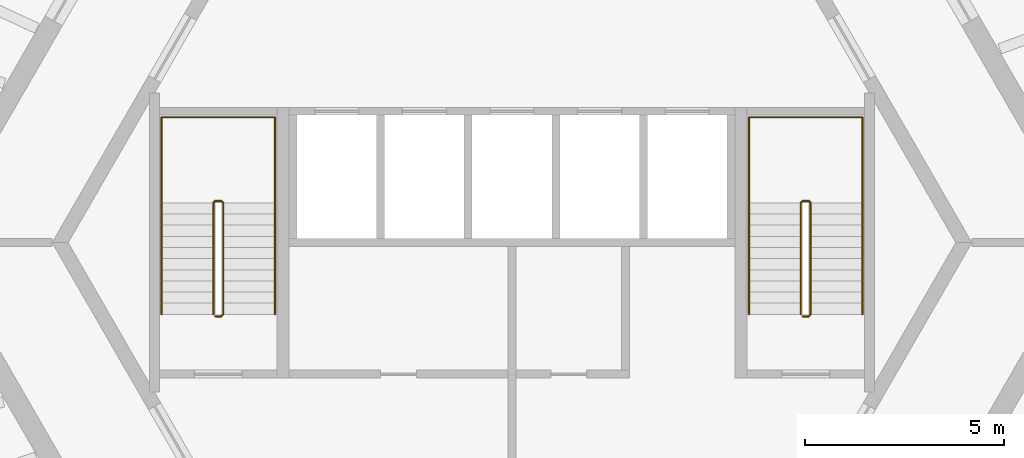
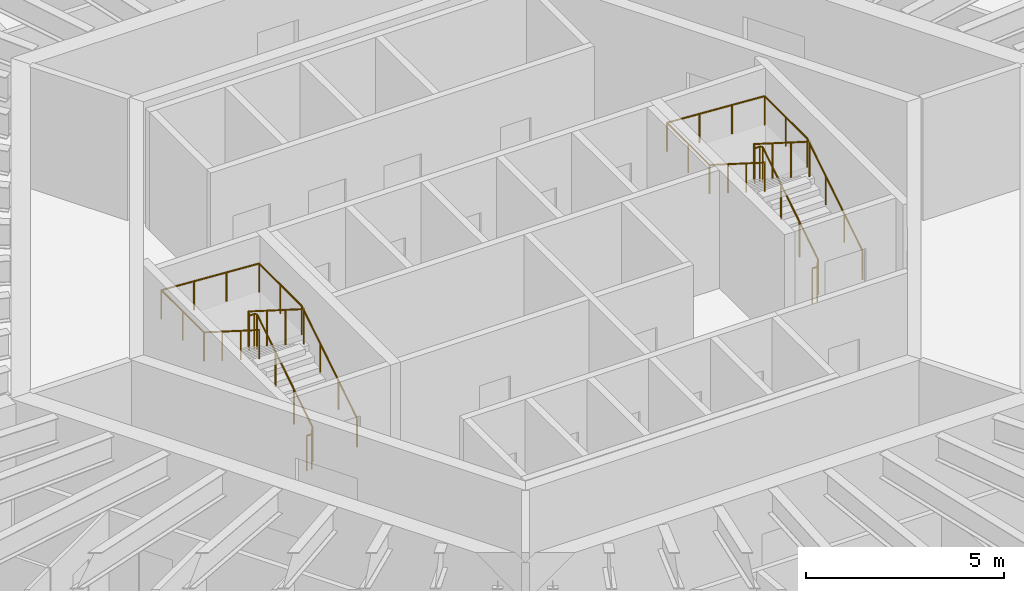
# One storey, part 10 of 10: 4 railings.
"""IFC4 building model written with IfcOpenShell, lengths in metres."""

from ifc_helpers import new_model, si_unit, direction, frame, origin, origin_2d, place, context, subcontext, project, spatial, circle, extrude, material, type_object, element, save


model = new_model("IFC4")

# Units and contexts
model_context = context("Model", 3, precision=1e-05, world=origin(), true_north=direction((0.0, 1.0)))
body_context = subcontext(model_context, "Body", "Model", "MODEL_VIEW")
ifc_project = project(units=[si_unit("LENGTHUNIT", "METRE"), si_unit("AREAUNIT", "SQUARE_METRE"), si_unit("VOLUMEUNIT", "CUBIC_METRE"), si_unit("PLANEANGLEUNIT", "RADIAN"), si_unit("MASSUNIT", "GRAM", prefix="KILO")], contexts=[model_context])

# Site, building, storey
site_placement = place(None, origin())
site = spatial("IfcSite", under=ifc_project, at=site_placement, CompositionType="ELEMENT")
building_placement = place(site_placement, origin())
building = spatial("IfcBuilding", under=site, at=building_placement, Name="Tarnside Tower", CompositionType="ELEMENT")
storey_placement = place(building_placement, frame((0.0, 0.0, 172.199951171875)))
storey = spatial("IfcBuildingStorey", under=building, at=storey_placement, Name="L40", CompositionType="ELEMENT", Elevation=172.199951171875)

# Railings
ifc_material = material(Name="Stainless steel", Category="steel")
railing_type_1 = type_object("IfcRailingType", Name="Stair guard 1100", PredefinedType="GUARDRAIL", material=ifc_material)
railing_1_placement = place(storey_placement, frame((7.300048828125, -1.85009765625, 0.0)))
element("IfcRailing", 1, at=railing_1_placement, inside=storey, type_object=railing_type_1, Name="L40 ST1 stair guard 1", PredefinedType="GUARDRAIL", context=body_context, shape_type="SweptSolid", body=[
    extrude(circle(Radius=0.02392578125, at=origin_2d()), frame((0.0, 0.0, 1.076171875), z_axis=(1.0, 0.0, 0.0), x_axis=(0.0, 1.0, 0.0)), (0.0, 0.0, 1.0), 0.14990234375),
    extrude(circle(Radius=0.02392578125, at=origin_2d()), frame((0.14990234375, 0.0, 1.076171875), z_axis=(0.262233686654, 0.262233686654, 0.928691007369), x_axis=(-0.707106781187, 0.707106781187, 0.0)), (0.0, 0.0, 1.0), 0.19091796875),
    extrude(circle(Radius=0.02392578125, at=origin_2d()), frame((0.199951171875, 0.050048828125, 1.25341796875), z_axis=(0.0, 0.844908973607, 0.534910110503), x_axis=(-1.0, 0.0, 0.0)), (0.0, 0.0, 1.0), 3.31396484375),
    extrude(circle(Radius=0.02392578125, at=origin_2d()), frame((0.199951171875, 2.85009765625, 3.02587890625), z_axis=(-0.707106781187, 0.707106781187, 0.0), x_axis=(-0.707106781187, -0.707106781187, 0.0)), (0.0, 0.0, 1.0), 0.07080078125),
    extrude(circle(Radius=0.02392578125, at=origin_2d()), frame((0.14990234375, 2.900146484375, 3.02587890625), z_axis=(-1.0, 0.0, 0.0), x_axis=(0.0, -1.0, 0.0)), (0.0, 0.0, 1.0), 0.14990234375),
    extrude(circle(Radius=0.02392578125, at=origin_2d()), frame((0.0, 2.900146484375, 3.02587890625), z_axis=(-0.261922500866, -0.261922500866, 0.928866625022), x_axis=(0.707106781187, -0.707106781187, 0.0)), (0.0, 0.0, 1.0), 0.191162109375),
    extrude(circle(Radius=0.02392578125, at=origin_2d()), frame((-0.050048828125, 2.85009765625, 3.20361328125), z_axis=(0.0, -0.844908973607, 0.534910110503), x_axis=(1.0, 0.0, 0.0)), (0.0, 0.0, 1.0), 3.31396484375),
    extrude(circle(Radius=0.02099609375, at=origin_2d()), origin(), (0.0, 0.0, 1.0), 1.052001953125),
    extrude(circle(Radius=0.02099609375, at=origin_2d()), frame((0.14990234375, 0.0, 0.0)), (0.0, 0.0, 1.0), 1.052001953125),
    extrude(circle(Radius=0.02099609375, at=origin_2d()), frame((0.199951171875, 0.050048828125, 0.17724609375)), (0.0, 0.0, 1.0), 1.052001953125),
    extrude(circle(Radius=0.02099609375, at=origin_2d()), frame((0.199951171875, 0.9833984375, 0.76806640625)), (0.0, 0.0, 1.0), 1.052001953125),
    extrude(circle(Radius=0.02099609375, at=origin_2d()), frame((0.199951171875, 1.916748046875, 1.359130859375)), (0.0, 0.0, 1.0), 1.052001953125),
    extrude(circle(Radius=0.02099609375, at=origin_2d()), frame((0.199951171875, 2.85009765625, 1.949951171875)), (0.0, 0.0, 1.0), 1.052001953125),
    extrude(circle(Radius=0.02099609375, at=origin_2d()), frame((0.14990234375, 2.900146484375, 1.949951171875)), (0.0, 0.0, 1.0), 1.052001953125),
    extrude(circle(Radius=0.02099609375, at=origin_2d()), frame((0.0, 2.900146484375, 1.949951171875)), (0.0, 0.0, 1.0), 1.052001953125),
    extrude(circle(Radius=0.02099609375, at=origin_2d()), frame((-0.050048828125, 2.85009765625, 2.12744140625)), (0.0, 0.0, 1.0), 1.052001953125),
    extrude(circle(Radius=0.02099609375, at=origin_2d()), frame((-0.050048828125, 1.916748046875, 2.71826171875)), (0.0, 0.0, 1.0), 1.052001953125),
    extrude(circle(Radius=0.02099609375, at=origin_2d()), frame((-0.050048828125, 0.9833984375, 3.309326171875)), (0.0, 0.0, 1.0), 1.052001953125),
    extrude(circle(Radius=0.02099609375, at=origin_2d()), frame((-0.050048828125, 0.050048828125, 3.900146484375)), (0.0, 0.0, 1.0), 1.052001953125),
])
railing_2_placement = place(storey_placement, frame((-7.449951171875, -1.85009765625, 0.0)))
element("IfcRailing", 2, at=railing_2_placement, inside=storey, type_object=railing_type_1, Name="L40 ST2 stair guard 1", PredefinedType="GUARDRAIL", context=body_context, shape_type="SweptSolid", body=[
    extrude(circle(Radius=0.02392578125, at=origin_2d()), frame((0.0, 0.0, 1.076171875), z_axis=(1.0, 0.0, 0.0), x_axis=(0.0, 1.0, 0.0)), (0.0, 0.0, 1.0), 0.14990234375),
    extrude(circle(Radius=0.02392578125, at=origin_2d()), frame((0.14990234375, 0.0, 1.076171875), z_axis=(0.262233686654, 0.262233686654, 0.928691007369), x_axis=(-0.707106781187, 0.707106781187, 0.0)), (0.0, 0.0, 1.0), 0.19091796875),
    extrude(circle(Radius=0.02392578125, at=origin_2d()), frame((0.199951171875, 0.050048828125, 1.25341796875), z_axis=(0.0, 0.844908973607, 0.534910110503), x_axis=(-1.0, 0.0, 0.0)), (0.0, 0.0, 1.0), 3.31396484375),
    extrude(circle(Radius=0.02392578125, at=origin_2d()), frame((0.199951171875, 2.85009765625, 3.02587890625), z_axis=(-0.707106781187, 0.707106781187, 0.0), x_axis=(-0.707106781187, -0.707106781187, 0.0)), (0.0, 0.0, 1.0), 0.07080078125),
    extrude(circle(Radius=0.02392578125, at=origin_2d()), frame((0.14990234375, 2.900146484375, 3.02587890625), z_axis=(-1.0, 0.0, 0.0), x_axis=(0.0, -1.0, 0.0)), (0.0, 0.0, 1.0), 0.14990234375),
    extrude(circle(Radius=0.02392578125, at=origin_2d()), frame((0.0, 2.900146484375, 3.02587890625), z_axis=(-0.261922500866, -0.261922500866, 0.928866625022), x_axis=(0.707106781187, -0.707106781187, 0.0)), (0.0, 0.0, 1.0), 0.191162109375),
    extrude(circle(Radius=0.02392578125, at=origin_2d()), frame((-0.050048828125, 2.85009765625, 3.20361328125), z_axis=(0.0, -0.844908973607, 0.534910110503), x_axis=(1.0, 0.0, 0.0)), (0.0, 0.0, 1.0), 3.31396484375),
    extrude(circle(Radius=0.02099609375, at=origin_2d()), origin(), (0.0, 0.0, 1.0), 1.052001953125),
    extrude(circle(Radius=0.02099609375, at=origin_2d()), frame((0.14990234375, 0.0, 0.0)), (0.0, 0.0, 1.0), 1.052001953125),
    extrude(circle(Radius=0.02099609375, at=origin_2d()), frame((0.199951171875, 0.050048828125, 0.17724609375)), (0.0, 0.0, 1.0), 1.052001953125),
    extrude(circle(Radius=0.02099609375, at=origin_2d()), frame((0.199951171875, 0.9833984375, 0.76806640625)), (0.0, 0.0, 1.0), 1.052001953125),
    extrude(circle(Radius=0.02099609375, at=origin_2d()), frame((0.199951171875, 1.916748046875, 1.359130859375)), (0.0, 0.0, 1.0), 1.052001953125),
    extrude(circle(Radius=0.02099609375, at=origin_2d()), frame((0.199951171875, 2.85009765625, 1.949951171875)), (0.0, 0.0, 1.0), 1.052001953125),
    extrude(circle(Radius=0.02099609375, at=origin_2d()), frame((0.14990234375, 2.900146484375, 1.949951171875)), (0.0, 0.0, 1.0), 1.052001953125),
    extrude(circle(Radius=0.02099609375, at=origin_2d()), frame((0.0, 2.900146484375, 1.949951171875)), (0.0, 0.0, 1.0), 1.052001953125),
    extrude(circle(Radius=0.02099609375, at=origin_2d()), frame((-0.050048828125, 2.85009765625, 2.12744140625)), (0.0, 0.0, 1.0), 1.052001953125),
    extrude(circle(Radius=0.02099609375, at=origin_2d()), frame((-0.050048828125, 1.916748046875, 2.71826171875)), (0.0, 0.0, 1.0), 1.052001953125),
    extrude(circle(Radius=0.02099609375, at=origin_2d()), frame((-0.050048828125, 0.9833984375, 3.309326171875)), (0.0, 0.0, 1.0), 1.052001953125),
    extrude(circle(Radius=0.02099609375, at=origin_2d()), frame((-0.050048828125, 0.050048828125, 3.900146484375)), (0.0, 0.0, 1.0), 1.052001953125),
])
railing_type_2 = type_object("IfcRailingType", Name="Stair handrail 900", PredefinedType="HANDRAIL", material=ifc_material)
railing_3_placement = place(storey_placement, frame((8.800048828125, -1.800048828125, 0.17724609375)))
element("IfcRailing", 3, at=railing_3_placement, inside=storey, type_object=railing_type_2, Name="L40 ST1 stair handrail 1", PredefinedType="HANDRAIL", context=body_context, shape_type="SweptSolid", body=[
    extrude(circle(Radius=0.02392578125, at=origin_2d()), frame((0.0, 0.0, 0.8857421875), z_axis=(0.0, 0.844908973607, 0.534910110503), x_axis=(-1.0, 0.0, 0.0)), (0.0, 0.0, 1.0), 3.31396484375),
    extrude(circle(Radius=0.02392578125, at=origin_2d()), frame((0.0, 2.800048828125, 2.65869140625), z_axis=(0.0, 1.0, 0.0), x_axis=(-1.0, 0.0, 0.0)), (0.0, 0.0, 1.0), 2.14990234375),
    extrude(circle(Radius=0.02392578125, at=origin_2d()), frame((0.0, 4.949951171875, 2.65869140625), z_axis=(-0.998066525363, 0.0, 0.062154733933), x_axis=(0.0, -1.0, 0.0)), (0.0, 0.0, 1.0), 2.855712890625),
    extrude(circle(Radius=0.02392578125, at=origin_2d()), frame((-2.85009765625, 4.949951171875, 2.8359375), z_axis=(0.0, -1.0, 0.0), x_axis=(1.0, 0.0, 0.0)), (0.0, 0.0, 1.0), 2.14990234375),
    extrude(circle(Radius=0.02392578125, at=origin_2d()), frame((-2.85009765625, 2.800048828125, 2.8359375), z_axis=(0.0, -0.844908973607, 0.534910110503), x_axis=(1.0, 0.0, 0.0)), (0.0, 0.0, 1.0), 3.31396484375),
    extrude(circle(Radius=0.02099609375, at=origin_2d()), origin(), (0.0, 0.0, 1.0), 0.86181640625),
    extrude(circle(Radius=0.02099609375, at=origin_2d()), frame((0.0, 0.933349609375, 0.5908203125)), (0.0, 0.0, 1.0), 0.86181640625),
    extrude(circle(Radius=0.02099609375, at=origin_2d()), frame((0.0, 1.86669921875, 1.181884765625)), (0.0, 0.0, 1.0), 0.86181640625),
    extrude(circle(Radius=0.02099609375, at=origin_2d()), frame((0.0, 2.800048828125, 1.772705078125)), (0.0, 0.0, 1.0), 0.86181640625),
    extrude(circle(Radius=0.02099609375, at=origin_2d()), frame((0.0, 3.875, 1.772705078125)), (0.0, 0.0, 1.0), 0.86181640625),
    extrude(circle(Radius=0.02099609375, at=origin_2d()), frame((0.0, 4.949951171875, 1.772705078125)), (0.0, 0.0, 1.0), 0.86181640625),
    extrude(circle(Radius=0.02099609375, at=origin_2d()), frame((-0.949951171875, 4.949951171875, 1.831787109375)), (0.0, 0.0, 1.0), 0.86181640625),
    extrude(circle(Radius=0.02099609375, at=origin_2d()), frame((-1.900146484375, 4.949951171875, 1.89111328125)), (0.0, 0.0, 1.0), 0.86181640625),
    extrude(circle(Radius=0.02099609375, at=origin_2d()), frame((-2.85009765625, 4.949951171875, 1.9501953125)), (0.0, 0.0, 1.0), 0.86181640625),
    extrude(circle(Radius=0.02099609375, at=origin_2d()), frame((-2.85009765625, 3.875, 1.9501953125)), (0.0, 0.0, 1.0), 0.86181640625),
    extrude(circle(Radius=0.02099609375, at=origin_2d()), frame((-2.85009765625, 2.800048828125, 1.9501953125)), (0.0, 0.0, 1.0), 0.86181640625),
    extrude(circle(Radius=0.02099609375, at=origin_2d()), frame((-2.85009765625, 1.86669921875, 2.541015625)), (0.0, 0.0, 1.0), 0.86181640625),
    extrude(circle(Radius=0.02099609375, at=origin_2d()), frame((-2.85009765625, 0.933349609375, 3.132080078125)), (0.0, 0.0, 1.0), 0.86181640625),
    extrude(circle(Radius=0.02099609375, at=origin_2d()), frame((-2.85009765625, 0.0, 3.722900390625)), (0.0, 0.0, 1.0), 0.86181640625),
])
railing_4_placement = place(storey_placement, frame((-5.949951171875, -1.800048828125, 0.17724609375)))
element("IfcRailing", 4, at=railing_4_placement, inside=storey, type_object=railing_type_2, Name="L40 ST2 stair handrail 1", PredefinedType="HANDRAIL", context=body_context, shape_type="SweptSolid", body=[
    extrude(circle(Radius=0.02392578125, at=origin_2d()), frame((0.0, 0.0, 0.8857421875), z_axis=(0.0, 0.844908973607, 0.534910110503), x_axis=(-1.0, 0.0, 0.0)), (0.0, 0.0, 1.0), 3.31396484375),
    extrude(circle(Radius=0.02392578125, at=origin_2d()), frame((0.0, 2.800048828125, 2.65869140625), z_axis=(0.0, 1.0, 0.0), x_axis=(-1.0, 0.0, 0.0)), (0.0, 0.0, 1.0), 2.14990234375),
    extrude(circle(Radius=0.02392578125, at=origin_2d()), frame((0.0, 4.949951171875, 2.65869140625), z_axis=(-0.998066525363, 0.0, 0.062154733933), x_axis=(0.0, -1.0, 0.0)), (0.0, 0.0, 1.0), 2.855712890625),
    extrude(circle(Radius=0.02392578125, at=origin_2d()), frame((-2.85009765625, 4.949951171875, 2.8359375), z_axis=(0.0, -1.0, 0.0), x_axis=(1.0, 0.0, 0.0)), (0.0, 0.0, 1.0), 2.14990234375),
    extrude(circle(Radius=0.02392578125, at=origin_2d()), frame((-2.85009765625, 2.800048828125, 2.8359375), z_axis=(0.0, -0.844908973607, 0.534910110503), x_axis=(1.0, 0.0, 0.0)), (0.0, 0.0, 1.0), 3.31396484375),
    extrude(circle(Radius=0.02099609375, at=origin_2d()), origin(), (0.0, 0.0, 1.0), 0.86181640625),
    extrude(circle(Radius=0.02099609375, at=origin_2d()), frame((0.0, 0.933349609375, 0.5908203125)), (0.0, 0.0, 1.0), 0.86181640625),
    extrude(circle(Radius=0.02099609375, at=origin_2d()), frame((0.0, 1.86669921875, 1.181884765625)), (0.0, 0.0, 1.0), 0.86181640625),
    extrude(circle(Radius=0.02099609375, at=origin_2d()), frame((0.0, 2.800048828125, 1.772705078125)), (0.0, 0.0, 1.0), 0.86181640625),
    extrude(circle(Radius=0.02099609375, at=origin_2d()), frame((0.0, 3.875, 1.772705078125)), (0.0, 0.0, 1.0), 0.86181640625),
    extrude(circle(Radius=0.02099609375, at=origin_2d()), frame((0.0, 4.949951171875, 1.772705078125)), (0.0, 0.0, 1.0), 0.86181640625),
    extrude(circle(Radius=0.02099609375, at=origin_2d()), frame((-0.949951171875, 4.949951171875, 1.831787109375)), (0.0, 0.0, 1.0), 0.86181640625),
    extrude(circle(Radius=0.02099609375, at=origin_2d()), frame((-1.900146484375, 4.949951171875, 1.89111328125)), (0.0, 0.0, 1.0), 0.86181640625),
    extrude(circle(Radius=0.02099609375, at=origin_2d()), frame((-2.85009765625, 4.949951171875, 1.9501953125)), (0.0, 0.0, 1.0), 0.86181640625),
    extrude(circle(Radius=0.02099609375, at=origin_2d()), frame((-2.85009765625, 3.875, 1.9501953125)), (0.0, 0.0, 1.0), 0.86181640625),
    extrude(circle(Radius=0.02099609375, at=origin_2d()), frame((-2.85009765625, 2.800048828125, 1.9501953125)), (0.0, 0.0, 1.0), 0.86181640625),
    extrude(circle(Radius=0.02099609375, at=origin_2d()), frame((-2.85009765625, 1.86669921875, 2.541015625)), (0.0, 0.0, 1.0), 0.86181640625),
    extrude(circle(Radius=0.02099609375, at=origin_2d()), frame((-2.85009765625, 0.933349609375, 3.132080078125)), (0.0, 0.0, 1.0), 0.86181640625),
    extrude(circle(Radius=0.02099609375, at=origin_2d()), frame((-2.85009765625, 0.0, 3.722900390625)), (0.0, 0.0, 1.0), 0.86181640625),
])

save(model, "model.ifc")
